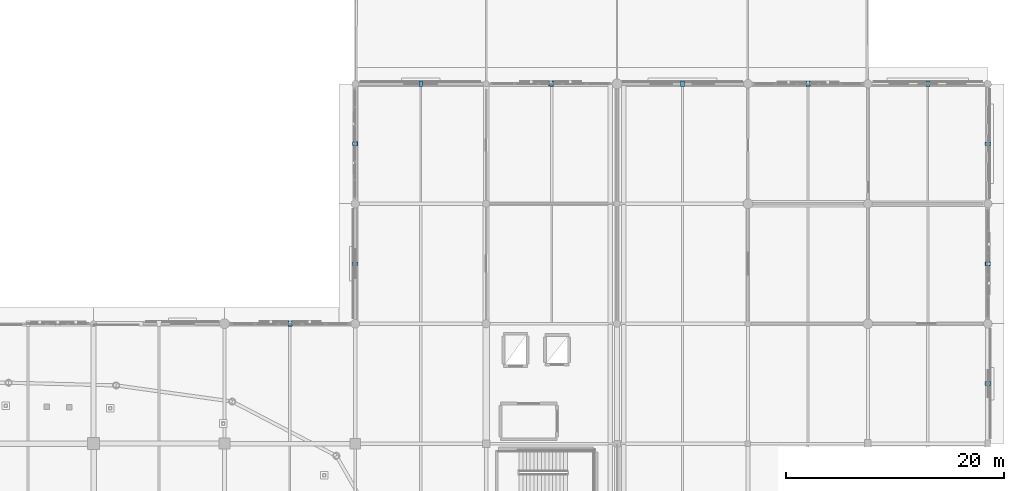
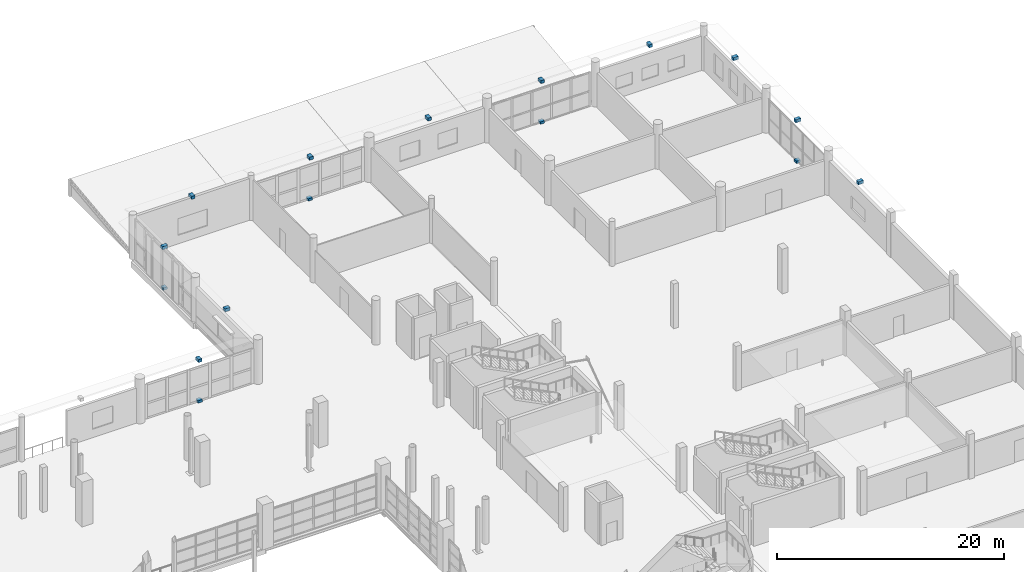
# One storey, part 116 of 143: 16 discrete accessories.
"""IFC4 building model written with IfcOpenShell, lengths in metres."""

from ifc_helpers import new_model, si_unit, direction, frame, origin, origin_2d, place, context, subcontext, project, spatial, rectangle, extrude, material, layer, layer_set, type_object, element, save


model = new_model("IFC4")

# Units and contexts
model_context = context("Model", 3, precision=1e-05, world=origin(), true_north=direction((0.0, 1.0)))
body_context = subcontext(model_context, "Body", "Model", "MODEL_VIEW")
ifc_project = project(units=[si_unit("LENGTHUNIT", "METRE"), si_unit("AREAUNIT", "SQUARE_METRE"), si_unit("VOLUMEUNIT", "CUBIC_METRE"), si_unit("PLANEANGLEUNIT", "RADIAN"), si_unit("MASSUNIT", "GRAM", prefix="KILO")], contexts=[model_context])

# Site, building, storey
site_placement = place(None, origin())
site = spatial("IfcSite", under=ifc_project, at=site_placement, CompositionType="ELEMENT")
building_placement = place(site_placement, origin())
building = spatial("IfcBuilding", under=site, at=building_placement, Name="Luwafu Chhajja Arena", CompositionType="ELEMENT")
storey_placement = place(building_placement, frame((0.0, 0.0, 5.39990234375)))
storey = spatial("IfcBuildingStorey", under=building, at=storey_placement, Name="L01", CompositionType="ELEMENT", Elevation=5.39990234375)

# Discrete accessories
ifc_material = material(Name="Stainless steel bracket", Category="steel")
ifc_layer = layer(ifc_material, 0.179931640625, Name="Stainless steel bracket")
ifc_layer_set = layer_set([ifc_layer], Name="Stainless steel bracket")
discrete_accessory_type = type_object("IfcDiscreteAccessoryType", Name="Stainless Steel Facade Support Bracket", PredefinedType="BRACKET", material=ifc_layer_set)
discrete_accessory_1_placement = place(storey_placement, frame((134.0, 99.0, 4.3798828125), z_axis=(0.0, 0.0, 1.0), x_axis=(1.0, 0.0, 0.0)))
element("IfcDiscreteAccessory", 1, at=discrete_accessory_1_placement, inside=storey, type_object=discrete_accessory_type, Name="L01 Chhajja Eave Support Bracket 0181", PredefinedType="BRACKET", context=body_context, shape_type="SweptSolid", body=[
    extrude(rectangle(XDim=0.360107421875, YDim=0.52001953125, at=origin_2d()), origin(), (0.0, 0.0, 1.0), 0.320068359375),
])
discrete_accessory_2_placement = place(storey_placement, frame((134.02490234375, 99.0, -0.009765625), z_axis=(0.0, 0.0, 1.0), x_axis=(1.0, 0.0, 0.0)))
element("IfcDiscreteAccessory", 2, at=discrete_accessory_2_placement, inside=storey, type_object=discrete_accessory_type, Name="Jali Stainless Support Bracket 0182", PredefinedType="BRACKET", context=body_context, shape_type="SweptSolid", body=[
    extrude(rectangle(XDim=0.419921875, YDim=0.419921875, at=origin_2d()), origin(), (0.0, 0.0, 1.0), 0.260009765625),
])
for number, where, z_axis, x_axis, name in (
    (3, (140.0, 104.5, 4.3798828125), (0.0, 0.0, 1.0), (0.0, 1.0, 0.0), "L01 Chhajja Eave Support Bracket 0187"),
    (4, (146.0, 121.0, 4.3798828125), (0.0, 0.0, 1.0), (1.0, 0.0, 0.0), "L01 Chhajja Eave Support Bracket 0188"),
    (5, (140.0, 115.5, 4.3798828125), (0.0, 0.0, 1.0), (0.0, 1.0, 0.0), "L01 Chhajja Eave Support Bracket 0189"),
):
    element("IfcDiscreteAccessory", number, at=place(storey_placement, frame(where, z_axis=z_axis, x_axis=x_axis)), inside=storey, type_object=discrete_accessory_type, Name=name, PredefinedType="BRACKET", context=body_context, shape_type="SweptSolid", body=[
        extrude(rectangle(XDim=0.360107421875, YDim=0.52001953125, at=origin_2d()), origin(), (0.0, 0.0, 1.0), 0.320068359375),
    ])
discrete_accessory_3_placement = place(storey_placement, frame((140.0, 115.52490234375, -0.009765625), z_axis=(0.0, 0.0, 1.0), x_axis=(0.0, 1.0, 0.0)))
element("IfcDiscreteAccessory", 6, at=discrete_accessory_3_placement, inside=storey, type_object=discrete_accessory_type, Name="Jali Stainless Support Bracket 0190", PredefinedType="BRACKET", context=body_context, shape_type="SweptSolid", body=[
    extrude(rectangle(XDim=0.419921875, YDim=0.419921875, at=origin_2d()), origin(), (0.0, 0.0, 1.0), 0.260009765625),
])
discrete_accessory_4_placement = place(storey_placement, frame((158.0, 121.0, 4.3798828125), z_axis=(0.0, 0.0, 1.0), x_axis=(1.0, 0.0, 0.0)))
element("IfcDiscreteAccessory", 7, at=discrete_accessory_4_placement, inside=storey, type_object=discrete_accessory_type, Name="L01 Chhajja Eave Support Bracket 0194", PredefinedType="BRACKET", context=body_context, shape_type="SweptSolid", body=[
    extrude(rectangle(XDim=0.360107421875, YDim=0.52001953125, at=origin_2d()), origin(), (0.0, 0.0, 1.0), 0.320068359375),
])
discrete_accessory_5_placement = place(storey_placement, frame((157.91259765625, 121.0, -0.009765625), z_axis=(0.0, 0.0, 1.0), x_axis=(1.0, 0.0, 0.0)))
element("IfcDiscreteAccessory", 8, at=discrete_accessory_5_placement, inside=storey, type_object=discrete_accessory_type, Name="Jali Stainless Support Bracket 0195", PredefinedType="BRACKET", context=body_context, shape_type="SweptSolid", body=[
    extrude(rectangle(XDim=0.419921875, YDim=0.419921875, at=origin_2d()), origin(), (0.0, 0.0, 1.0), 0.260009765625),
])
for number, where, z_axis, x_axis, name in (
    (9, (170.0, 121.0, 4.3798828125), (0.0, 0.0, 1.0), (1.0, 0.0, 0.0), "L01 Chhajja Eave Support Bracket 0197"),
    (10, (181.5, 121.0, 4.3798828125), (0.0, 0.0, 1.0), (1.0, 0.0, 0.0), "L01 Chhajja Eave Support Bracket 0199"),
):
    element("IfcDiscreteAccessory", number, at=place(storey_placement, frame(where, z_axis=z_axis, x_axis=x_axis)), inside=storey, type_object=discrete_accessory_type, Name=name, PredefinedType="BRACKET", context=body_context, shape_type="SweptSolid", body=[
        extrude(rectangle(XDim=0.360107421875, YDim=0.52001953125, at=origin_2d()), origin(), (0.0, 0.0, 1.0), 0.320068359375),
    ])
discrete_accessory_6_placement = place(storey_placement, frame((181.512451171875, 121.0, -0.009765625), z_axis=(0.0, 0.0, 1.0), x_axis=(1.0, 0.0, 0.0)))
element("IfcDiscreteAccessory", 11, at=discrete_accessory_6_placement, inside=storey, type_object=discrete_accessory_type, Name="Jali Stainless Support Bracket 0200", PredefinedType="BRACKET", context=body_context, shape_type="SweptSolid", body=[
    extrude(rectangle(XDim=0.419921875, YDim=0.419921875, at=origin_2d()), origin(), (0.0, 0.0, 1.0), 0.260009765625),
])
for number, where, z_axis, x_axis, name in (
    (12, (198.0, 93.5, 4.3798828125), (0.0, 0.0, 1.0), (0.0, 1.0, 0.0), "L01 Chhajja Eave Support Bracket 0208"),
    (13, (198.0, 104.5, 4.3798828125), (0.0, 0.0, 1.0), (0.0, 1.0, 0.0), "L01 Chhajja Eave Support Bracket 0209"),
):
    element("IfcDiscreteAccessory", number, at=place(storey_placement, frame(where, z_axis=z_axis, x_axis=x_axis)), inside=storey, type_object=discrete_accessory_type, Name=name, PredefinedType="BRACKET", context=body_context, shape_type="SweptSolid", body=[
        extrude(rectangle(XDim=0.360107421875, YDim=0.52001953125, at=origin_2d()), origin(), (0.0, 0.0, 1.0), 0.320068359375),
    ])
discrete_accessory_7_placement = place(storey_placement, frame((198.0, 104.512451171875, -0.009765625), z_axis=(0.0, 0.0, 1.0), x_axis=(0.0, 1.0, 0.0)))
element("IfcDiscreteAccessory", 14, at=discrete_accessory_7_placement, inside=storey, type_object=discrete_accessory_type, Name="Jali Stainless Support Bracket 0210", PredefinedType="BRACKET", context=body_context, shape_type="SweptSolid", body=[
    extrude(rectangle(XDim=0.419921875, YDim=0.419921875, at=origin_2d()), origin(), (0.0, 0.0, 1.0), 0.260009765625),
])
for number, where, z_axis, x_axis, name in (
    (15, (192.5, 121.0, 4.3798828125), (0.0, 0.0, 1.0), (1.0, 0.0, 0.0), "L01 Chhajja Eave Support Bracket 0211"),
    (16, (198.0, 115.5, 4.3798828125), (0.0, 0.0, 1.0), (0.0, 1.0, 0.0), "L01 Chhajja Eave Support Bracket 0212"),
):
    element("IfcDiscreteAccessory", number, at=place(storey_placement, frame(where, z_axis=z_axis, x_axis=x_axis)), inside=storey, type_object=discrete_accessory_type, Name=name, PredefinedType="BRACKET", context=body_context, shape_type="SweptSolid", body=[
        extrude(rectangle(XDim=0.360107421875, YDim=0.52001953125, at=origin_2d()), origin(), (0.0, 0.0, 1.0), 0.320068359375),
    ])

save(model, "model.ifc")
